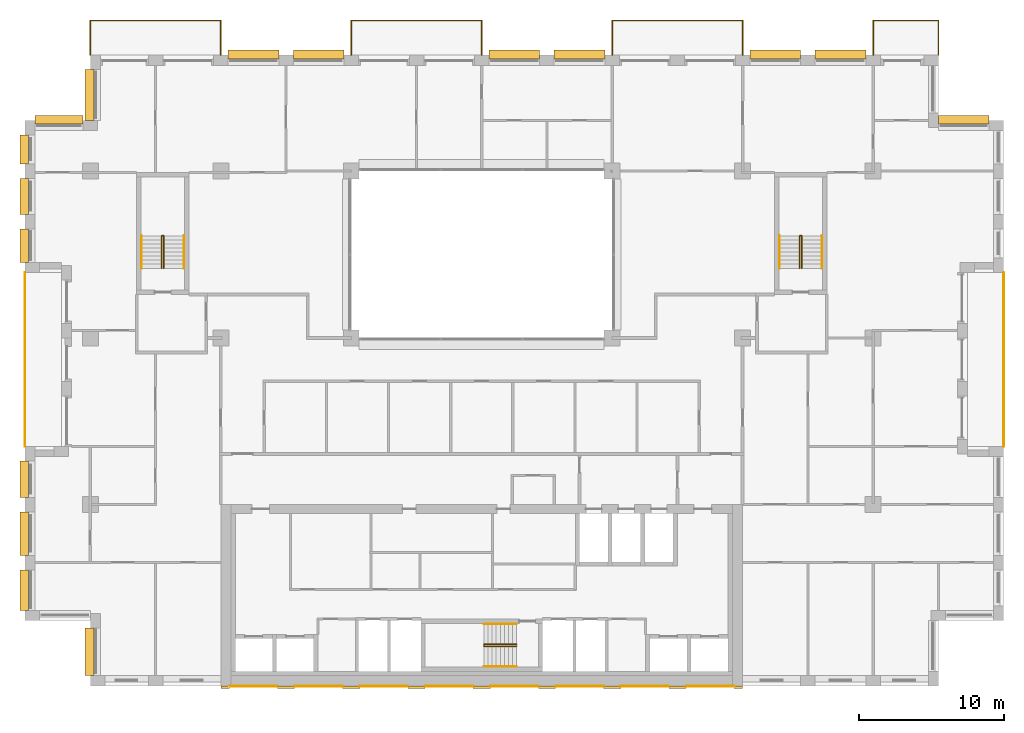
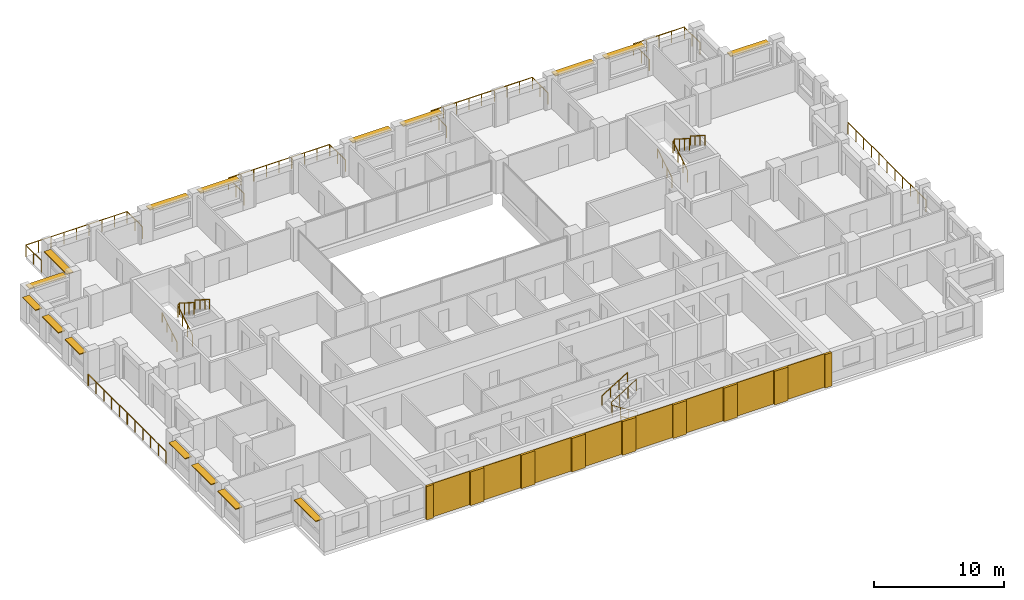
# One storey, part 15 of 15: 17 coverings, 16 shading devices, 15 railings.
"""IFC4 building model written with IfcOpenShell, lengths in metres."""

from ifc_helpers import new_model, si_unit, direction, frame, origin, origin_2d, place, context, subcontext, project, spatial, rectangle, circle, extrude, material, layer, layer_set, type_object, element, save


model = new_model("IFC4")

# Units and contexts
model_context = context("Model", 3, precision=1e-05, world=origin(), true_north=direction((0.0, 1.0)))
body_context = subcontext(model_context, "Body", "Model", "MODEL_VIEW")
ifc_project = project(units=[si_unit("LENGTHUNIT", "METRE"), si_unit("AREAUNIT", "SQUARE_METRE"), si_unit("VOLUMEUNIT", "CUBIC_METRE"), si_unit("PLANEANGLEUNIT", "RADIAN"), si_unit("MASSUNIT", "GRAM", prefix="KILO")], contexts=[model_context])

# Site, building, storey
site_placement = place(None, origin())
site = spatial("IfcSite", under=ifc_project, at=site_placement, CompositionType="ELEMENT")
building_placement = place(site_placement, origin())
building = spatial("IfcBuilding", under=site, at=building_placement, Name="Brigalow Station Residences", CompositionType="ELEMENT")
storey_placement = place(building_placement, frame((0.0, 0.0, 175.949951171875)))
storey = spatial("IfcBuildingStorey", under=building, at=storey_placement, Name="L51", CompositionType="ELEMENT", Elevation=175.949951171875)

# Railings
ifc_material_1 = material(Name="Stainless steel balustrade with laminated glass infill", Category="steel")
railing_type_1 = type_object("IfcRailingType", Name="BALCONY GUARD 1100", PredefinedType="GUARDRAIL", material=ifc_material_1)
railing_1_placement = place(storey_placement, frame((72.0, 16.5, -0.0400390625)))
element("IfcRailing", 1, at=railing_1_placement, inside=storey, type_object=railing_type_1, Name="L51/balcony-guard/1", PredefinedType="GUARDRAIL", context=body_context, shape_type="SweptSolid", body=[
    extrude(circle(Radius=0.02392578125, at=origin_2d()), frame((0.0, 0.0, 1.076171875), z_axis=(0.0, 1.0, 0.0), x_axis=(-1.0, 0.0, 0.0)), (0.0, 0.0, 1.0), 12.0),
    extrude(circle(Radius=0.02099609375, at=origin_2d()), origin(), (0.0, 0.0, 1.0), 1.052001953125),
    extrude(circle(Radius=0.02099609375, at=origin_2d()), frame((0.0, 1.199951171875, 0.0)), (0.0, 0.0, 1.0), 1.052001953125),
    extrude(circle(Radius=0.02099609375, at=origin_2d()), frame((0.0, 2.39990234375, 0.0)), (0.0, 0.0, 1.0), 1.052001953125),
    extrude(circle(Radius=0.02099609375, at=origin_2d()), frame((0.0, 3.60009765625, 0.0)), (0.0, 0.0, 1.0), 1.052001953125),
    extrude(circle(Radius=0.02099609375, at=origin_2d()), frame((0.0, 4.800048828125, 0.0)), (0.0, 0.0, 1.0), 1.052001953125),
    extrude(circle(Radius=0.02099609375, at=origin_2d()), frame((0.0, 6.0, 0.0)), (0.0, 0.0, 1.0), 1.052001953125),
    extrude(circle(Radius=0.02099609375, at=origin_2d()), frame((0.0, 7.199951171875, 0.0)), (0.0, 0.0, 1.0), 1.052001953125),
    extrude(circle(Radius=0.02099609375, at=origin_2d()), frame((0.0, 8.39990234375, 0.0)), (0.0, 0.0, 1.0), 1.052001953125),
    extrude(circle(Radius=0.02099609375, at=origin_2d()), frame((0.0, 9.60009765625, 0.0)), (0.0, 0.0, 1.0), 1.052001953125),
    extrude(circle(Radius=0.02099609375, at=origin_2d()), frame((0.0, 10.800048828125, 0.0)), (0.0, 0.0, 1.0), 1.052001953125),
    extrude(circle(Radius=0.02099609375, at=origin_2d()), frame((0.0, 12.0, 0.0)), (0.0, 0.0, 1.0), 1.052001953125),
])
railing_2_placement = place(storey_placement, frame((67.5, 43.5, -0.0400390625)))
element("IfcRailing", 2, at=railing_2_placement, inside=storey, type_object=railing_type_1, Name="L51/balcony-guard/2", PredefinedType="GUARDRAIL", context=body_context, shape_type="SweptSolid", body=[
    extrude(circle(Radius=0.02392578125, at=origin_2d()), frame((0.0, 0.0, 1.076171875), z_axis=(0.0, 1.0, 0.0), x_axis=(-1.0, 0.0, 0.0)), (0.0, 0.0, 1.0), 2.39990234375),
    extrude(circle(Radius=0.02392578125, at=origin_2d()), frame((0.0, 2.39990234375, 1.076171875), z_axis=(-1.0, 0.0, 0.0), x_axis=(0.0, -1.0, 0.0)), (0.0, 0.0, 1.0), 4.5),
    extrude(circle(Radius=0.02392578125, at=origin_2d()), frame((-4.5, 2.39990234375, 1.076171875), z_axis=(0.0, -1.0, 0.0), x_axis=(1.0, 0.0, 0.0)), (0.0, 0.0, 1.0), 2.39990234375),
    extrude(circle(Radius=0.02099609375, at=origin_2d()), origin(), (0.0, 0.0, 1.0), 1.052001953125),
    extrude(circle(Radius=0.02099609375, at=origin_2d()), frame((0.0, 1.199951171875, 0.0)), (0.0, 0.0, 1.0), 1.052001953125),
    extrude(circle(Radius=0.02099609375, at=origin_2d()), frame((0.0, 2.39990234375, 0.0)), (0.0, 0.0, 1.0), 1.052001953125),
    extrude(circle(Radius=0.02099609375, at=origin_2d()), frame((-1.125, 2.39990234375, 0.0)), (0.0, 0.0, 1.0), 1.052001953125),
    extrude(circle(Radius=0.02099609375, at=origin_2d()), frame((-2.25, 2.39990234375, 0.0)), (0.0, 0.0, 1.0), 1.052001953125),
    extrude(circle(Radius=0.02099609375, at=origin_2d()), frame((-3.375, 2.39990234375, 0.0)), (0.0, 0.0, 1.0), 1.052001953125),
    extrude(circle(Radius=0.02099609375, at=origin_2d()), frame((-4.5, 2.39990234375, 0.0)), (0.0, 0.0, 1.0), 1.052001953125),
    extrude(circle(Radius=0.02099609375, at=origin_2d()), frame((-4.5, 1.199951171875, 0.0)), (0.0, 0.0, 1.0), 1.052001953125),
    extrude(circle(Radius=0.02099609375, at=origin_2d()), frame((-4.5, 0.0, 0.0)), (0.0, 0.0, 1.0), 1.052001953125),
])
railing_3_placement = place(storey_placement, frame((54.0, 43.5, -0.0400390625)))
element("IfcRailing", 3, at=railing_3_placement, inside=storey, type_object=railing_type_1, Name="L51/balcony-guard/3", PredefinedType="GUARDRAIL", context=body_context, shape_type="SweptSolid", body=[
    extrude(circle(Radius=0.02392578125, at=origin_2d()), frame((0.0, 0.0, 1.076171875), z_axis=(0.0, 1.0, 0.0), x_axis=(-1.0, 0.0, 0.0)), (0.0, 0.0, 1.0), 2.39990234375),
    extrude(circle(Radius=0.02392578125, at=origin_2d()), frame((0.0, 2.39990234375, 1.076171875), z_axis=(-1.0, 0.0, 0.0), x_axis=(0.0, -1.0, 0.0)), (0.0, 0.0, 1.0), 9.0),
    extrude(circle(Radius=0.02392578125, at=origin_2d()), frame((-9.0, 2.39990234375, 1.076171875), z_axis=(0.0, -1.0, 0.0), x_axis=(1.0, 0.0, 0.0)), (0.0, 0.0, 1.0), 2.39990234375),
    extrude(circle(Radius=0.02099609375, at=origin_2d()), origin(), (0.0, 0.0, 1.0), 1.052001953125),
    extrude(circle(Radius=0.02099609375, at=origin_2d()), frame((0.0, 1.199951171875, 0.0)), (0.0, 0.0, 1.0), 1.052001953125),
    extrude(circle(Radius=0.02099609375, at=origin_2d()), frame((0.0, 2.39990234375, 0.0)), (0.0, 0.0, 1.0), 1.052001953125),
    extrude(circle(Radius=0.02099609375, at=origin_2d()), frame((-1.125, 2.39990234375, 0.0)), (0.0, 0.0, 1.0), 1.052001953125),
    extrude(circle(Radius=0.02099609375, at=origin_2d()), frame((-2.25, 2.39990234375, 0.0)), (0.0, 0.0, 1.0), 1.052001953125),
    extrude(circle(Radius=0.02099609375, at=origin_2d()), frame((-3.375, 2.39990234375, 0.0)), (0.0, 0.0, 1.0), 1.052001953125),
    extrude(circle(Radius=0.02099609375, at=origin_2d()), frame((-4.5, 2.39990234375, 0.0)), (0.0, 0.0, 1.0), 1.052001953125),
    extrude(circle(Radius=0.02099609375, at=origin_2d()), frame((-5.625, 2.39990234375, 0.0)), (0.0, 0.0, 1.0), 1.052001953125),
    extrude(circle(Radius=0.02099609375, at=origin_2d()), frame((-6.75, 2.39990234375, 0.0)), (0.0, 0.0, 1.0), 1.052001953125),
    extrude(circle(Radius=0.02099609375, at=origin_2d()), frame((-7.875, 2.39990234375, 0.0)), (0.0, 0.0, 1.0), 1.052001953125),
    extrude(circle(Radius=0.02099609375, at=origin_2d()), frame((-9.0, 2.39990234375, 0.0)), (0.0, 0.0, 1.0), 1.052001953125),
    extrude(circle(Radius=0.02099609375, at=origin_2d()), frame((-9.0, 1.199951171875, 0.0)), (0.0, 0.0, 1.0), 1.052001953125),
    extrude(circle(Radius=0.02099609375, at=origin_2d()), frame((-9.0, 0.0, 0.0)), (0.0, 0.0, 1.0), 1.052001953125),
])
railing_4_placement = place(storey_placement, frame((36.0, 43.5, -0.0400390625)))
element("IfcRailing", 4, at=railing_4_placement, inside=storey, type_object=railing_type_1, Name="L51/balcony-guard/4", PredefinedType="GUARDRAIL", context=body_context, shape_type="SweptSolid", body=[
    extrude(circle(Radius=0.02392578125, at=origin_2d()), frame((0.0, 0.0, 1.076171875), z_axis=(0.0, 1.0, 0.0), x_axis=(-1.0, 0.0, 0.0)), (0.0, 0.0, 1.0), 2.39990234375),
    extrude(circle(Radius=0.02392578125, at=origin_2d()), frame((0.0, 2.39990234375, 1.076171875), z_axis=(-1.0, 0.0, 0.0), x_axis=(0.0, -1.0, 0.0)), (0.0, 0.0, 1.0), 9.0),
    extrude(circle(Radius=0.02392578125, at=origin_2d()), frame((-9.0, 2.39990234375, 1.076171875), z_axis=(0.0, -1.0, 0.0), x_axis=(1.0, 0.0, 0.0)), (0.0, 0.0, 1.0), 2.39990234375),
    extrude(circle(Radius=0.02099609375, at=origin_2d()), origin(), (0.0, 0.0, 1.0), 1.052001953125),
    extrude(circle(Radius=0.02099609375, at=origin_2d()), frame((0.0, 1.199951171875, 0.0)), (0.0, 0.0, 1.0), 1.052001953125),
    extrude(circle(Radius=0.02099609375, at=origin_2d()), frame((0.0, 2.39990234375, 0.0)), (0.0, 0.0, 1.0), 1.052001953125),
    extrude(circle(Radius=0.02099609375, at=origin_2d()), frame((-1.125, 2.39990234375, 0.0)), (0.0, 0.0, 1.0), 1.052001953125),
    extrude(circle(Radius=0.02099609375, at=origin_2d()), frame((-2.25, 2.39990234375, 0.0)), (0.0, 0.0, 1.0), 1.052001953125),
    extrude(circle(Radius=0.02099609375, at=origin_2d()), frame((-3.375, 2.39990234375, 0.0)), (0.0, 0.0, 1.0), 1.052001953125),
    extrude(circle(Radius=0.02099609375, at=origin_2d()), frame((-4.5, 2.39990234375, 0.0)), (0.0, 0.0, 1.0), 1.052001953125),
    extrude(circle(Radius=0.02099609375, at=origin_2d()), frame((-5.625, 2.39990234375, 0.0)), (0.0, 0.0, 1.0), 1.052001953125),
    extrude(circle(Radius=0.02099609375, at=origin_2d()), frame((-6.75, 2.39990234375, 0.0)), (0.0, 0.0, 1.0), 1.052001953125),
    extrude(circle(Radius=0.02099609375, at=origin_2d()), frame((-7.875, 2.39990234375, 0.0)), (0.0, 0.0, 1.0), 1.052001953125),
    extrude(circle(Radius=0.02099609375, at=origin_2d()), frame((-9.0, 2.39990234375, 0.0)), (0.0, 0.0, 1.0), 1.052001953125),
    extrude(circle(Radius=0.02099609375, at=origin_2d()), frame((-9.0, 1.199951171875, 0.0)), (0.0, 0.0, 1.0), 1.052001953125),
    extrude(circle(Radius=0.02099609375, at=origin_2d()), frame((-9.0, 0.0, 0.0)), (0.0, 0.0, 1.0), 1.052001953125),
])
railing_5_placement = place(storey_placement, frame((18.0, 43.5, -0.0400390625)))
element("IfcRailing", 5, at=railing_5_placement, inside=storey, type_object=railing_type_1, Name="L51/balcony-guard/5", PredefinedType="GUARDRAIL", context=body_context, shape_type="SweptSolid", body=[
    extrude(circle(Radius=0.02392578125, at=origin_2d()), frame((0.0, 0.0, 1.076171875), z_axis=(0.0, 1.0, 0.0), x_axis=(-1.0, 0.0, 0.0)), (0.0, 0.0, 1.0), 2.39990234375),
    extrude(circle(Radius=0.02392578125, at=origin_2d()), frame((0.0, 2.39990234375, 1.076171875), z_axis=(-1.0, 0.0, 0.0), x_axis=(0.0, -1.0, 0.0)), (0.0, 0.0, 1.0), 9.0),
    extrude(circle(Radius=0.02392578125, at=origin_2d()), frame((-9.0, 2.39990234375, 1.076171875), z_axis=(0.0, -1.0, 0.0), x_axis=(1.0, 0.0, 0.0)), (0.0, 0.0, 1.0), 2.39990234375),
    extrude(circle(Radius=0.02099609375, at=origin_2d()), origin(), (0.0, 0.0, 1.0), 1.052001953125),
    extrude(circle(Radius=0.02099609375, at=origin_2d()), frame((0.0, 1.199951171875, 0.0)), (0.0, 0.0, 1.0), 1.052001953125),
    extrude(circle(Radius=0.02099609375, at=origin_2d()), frame((0.0, 2.39990234375, 0.0)), (0.0, 0.0, 1.0), 1.052001953125),
    extrude(circle(Radius=0.02099609375, at=origin_2d()), frame((-1.125, 2.39990234375, 0.0)), (0.0, 0.0, 1.0), 1.052001953125),
    extrude(circle(Radius=0.02099609375, at=origin_2d()), frame((-2.25, 2.39990234375, 0.0)), (0.0, 0.0, 1.0), 1.052001953125),
    extrude(circle(Radius=0.02099609375, at=origin_2d()), frame((-3.375, 2.39990234375, 0.0)), (0.0, 0.0, 1.0), 1.052001953125),
    extrude(circle(Radius=0.02099609375, at=origin_2d()), frame((-4.5, 2.39990234375, 0.0)), (0.0, 0.0, 1.0), 1.052001953125),
    extrude(circle(Radius=0.02099609375, at=origin_2d()), frame((-5.625, 2.39990234375, 0.0)), (0.0, 0.0, 1.0), 1.052001953125),
    extrude(circle(Radius=0.02099609375, at=origin_2d()), frame((-6.75, 2.39990234375, 0.0)), (0.0, 0.0, 1.0), 1.052001953125),
    extrude(circle(Radius=0.02099609375, at=origin_2d()), frame((-7.875, 2.39990234375, 0.0)), (0.0, 0.0, 1.0), 1.052001953125),
    extrude(circle(Radius=0.02099609375, at=origin_2d()), frame((-9.0, 2.39990234375, 0.0)), (0.0, 0.0, 1.0), 1.052001953125),
    extrude(circle(Radius=0.02099609375, at=origin_2d()), frame((-9.0, 1.199951171875, 0.0)), (0.0, 0.0, 1.0), 1.052001953125),
    extrude(circle(Radius=0.02099609375, at=origin_2d()), frame((-9.0, 0.0, 0.0)), (0.0, 0.0, 1.0), 1.052001953125),
])
railing_6_placement = place(storey_placement, frame((4.5, 28.5, -0.0400390625)))
element("IfcRailing", 6, at=railing_6_placement, inside=storey, type_object=railing_type_1, Name="L51/balcony-guard/6", PredefinedType="GUARDRAIL", context=body_context, shape_type="SweptSolid", body=[
    extrude(circle(Radius=0.02392578125, at=origin_2d()), frame((0.0, 0.0, 1.076171875), z_axis=(0.0, -1.0, 0.0), x_axis=(1.0, 0.0, 0.0)), (0.0, 0.0, 1.0), 12.0),
    extrude(circle(Radius=0.02099609375, at=origin_2d()), origin(), (0.0, 0.0, 1.0), 1.052001953125),
    extrude(circle(Radius=0.02099609375, at=origin_2d()), frame((0.0, -1.199951171875, 0.0)), (0.0, 0.0, 1.0), 1.052001953125),
    extrude(circle(Radius=0.02099609375, at=origin_2d()), frame((0.0, -2.39990234375, 0.0)), (0.0, 0.0, 1.0), 1.052001953125),
    extrude(circle(Radius=0.02099609375, at=origin_2d()), frame((0.0, -3.60009765625, 0.0)), (0.0, 0.0, 1.0), 1.052001953125),
    extrude(circle(Radius=0.02099609375, at=origin_2d()), frame((0.0, -4.800048828125, 0.0)), (0.0, 0.0, 1.0), 1.052001953125),
    extrude(circle(Radius=0.02099609375, at=origin_2d()), frame((0.0, -6.0, 0.0)), (0.0, 0.0, 1.0), 1.052001953125),
    extrude(circle(Radius=0.02099609375, at=origin_2d()), frame((0.0, -7.199951171875, 0.0)), (0.0, 0.0, 1.0), 1.052001953125),
    extrude(circle(Radius=0.02099609375, at=origin_2d()), frame((0.0, -8.39990234375, 0.0)), (0.0, 0.0, 1.0), 1.052001953125),
    extrude(circle(Radius=0.02099609375, at=origin_2d()), frame((0.0, -9.60009765625, 0.0)), (0.0, 0.0, 1.0), 1.052001953125),
    extrude(circle(Radius=0.02099609375, at=origin_2d()), frame((0.0, -10.800048828125, 0.0)), (0.0, 0.0, 1.0), 1.052001953125),
    extrude(circle(Radius=0.02099609375, at=origin_2d()), frame((0.0, -12.0, 0.0)), (0.0, 0.0, 1.0), 1.052001953125),
])

# Coverings
ifc_material_2 = material(Name="Clay brick masonry", Category="masonry")
ifc_layer_1 = layer(ifc_material_2, 0.06005859375)
ifc_layer_set_1 = layer_set([ifc_layer_1], Name="BRICK PANEL FACING 60")
covering_type_1 = type_object("IfcCoveringType", Name="BRICK PANEL FACING 60", PredefinedType="CLADDING", material=ifc_layer_set_1)
for number, where, z_axis, x_axis, name in (
    (7, (20.25, -0.030029296875, 0.0), (0.0, 0.0, 1.0), (1.0, 0.0, 0.0), "L51/rear-facing/panel-1"),
    (8, (24.75, -0.030029296875, 0.0), (0.0, 0.0, 1.0), (1.0, 0.0, 0.0), "L51/rear-facing/panel-2"),
    (9, (29.25, -0.030029296875, 0.0), (0.0, 0.0, 1.0), (1.0, 0.0, 0.0), "L51/rear-facing/panel-3"),
    (10, (33.75, -0.030029296875, 0.0), (0.0, 0.0, 1.0), (1.0, 0.0, 0.0), "L51/rear-facing/panel-4"),
    (11, (38.25, -0.030029296875, 0.0), (0.0, 0.0, 1.0), (1.0, 0.0, 0.0), "L51/rear-facing/panel-5"),
    (12, (42.75, -0.030029296875, 0.0), (0.0, 0.0, 1.0), (1.0, 0.0, 0.0), "L51/rear-facing/panel-6"),
    (13, (47.25, -0.030029296875, 0.0), (0.0, 0.0, 1.0), (1.0, 0.0, 0.0), "L51/rear-facing/panel-7"),
    (14, (51.75, -0.030029296875, 0.0), (0.0, 0.0, 1.0), (1.0, 0.0, 0.0), "L51/rear-facing/panel-8"),
):
    element("IfcCovering", number, at=place(storey_placement, frame(where, z_axis=z_axis, x_axis=x_axis)), inside=storey, type_object=covering_type_1, Name=name, PredefinedType="CLADDING", context=body_context, shape_type="SweptSolid", body=[
        extrude(rectangle(XDim=3.300048828125, YDim=0.06005859375, at=origin_2d()), origin(), (0.0, 0.0, 1.0), 3.14990234375),
    ])
ifc_material_3 = material(Name="Clay brick masonry", Category="masonry")
ifc_layer_2 = layer(ifc_material_3, 0.199951171875)
ifc_layer_set_2 = layer_set([ifc_layer_2], Name="BRICK PIER FACING 200")
covering_type_2 = type_object("IfcCoveringType", Name="BRICK PIER FACING 200", PredefinedType="CLADDING", material=ifc_layer_set_2)
covering_1_placement = place(storey_placement, frame((18.300048828125, -0.10009765625, 0.0), z_axis=(0.0, 0.0, 1.0), x_axis=(1.0, 0.0, 0.0)))
element("IfcCovering", 15, at=covering_1_placement, inside=storey, type_object=covering_type_2, Name="L51/rear-facing/pier-1", PredefinedType="CLADDING", context=body_context, shape_type="SweptSolid", body=[
    extrude(rectangle(XDim=0.60009765625, YDim=0.199951171875, at=origin_2d()), origin(), (0.0, 0.0, 1.0), 3.14990234375),
])
for number, where, z_axis, x_axis, name in (
    (16, (22.5, -0.10009765625, 0.0), (0.0, 0.0, 1.0), (1.0, 0.0, 0.0), "L51/rear-facing/pier-2"),
    (17, (27.0, -0.10009765625, 0.0), (0.0, 0.0, 1.0), (1.0, 0.0, 0.0), "L51/rear-facing/pier-3"),
    (18, (31.5, -0.10009765625, 0.0), (0.0, 0.0, 1.0), (1.0, 0.0, 0.0), "L51/rear-facing/pier-4"),
    (19, (36.0, -0.10009765625, 0.0), (0.0, 0.0, 1.0), (1.0, 0.0, 0.0), "L51/rear-facing/pier-5"),
    (20, (40.5, -0.10009765625, 0.0), (0.0, 0.0, 1.0), (1.0, 0.0, 0.0), "L51/rear-facing/pier-6"),
    (21, (45.0, -0.10009765625, 0.0), (0.0, 0.0, 1.0), (1.0, 0.0, 0.0), "L51/rear-facing/pier-7"),
    (22, (49.5, -0.10009765625, 0.0), (0.0, 0.0, 1.0), (1.0, 0.0, 0.0), "L51/rear-facing/pier-8"),
):
    element("IfcCovering", number, at=place(storey_placement, frame(where, z_axis=z_axis, x_axis=x_axis)), inside=storey, type_object=covering_type_2, Name=name, PredefinedType="CLADDING", context=body_context, shape_type="SweptSolid", body=[
        extrude(rectangle(XDim=1.199951171875, YDim=0.199951171875, at=origin_2d()), origin(), (0.0, 0.0, 1.0), 3.14990234375),
    ])
covering_2_placement = place(storey_placement, frame((53.699951171875, -0.10009765625, 0.0), z_axis=(0.0, 0.0, 1.0), x_axis=(1.0, 0.0, 0.0)))
element("IfcCovering", 23, at=covering_2_placement, inside=storey, type_object=covering_type_2, Name="L51/rear-facing/pier-9", PredefinedType="CLADDING", context=body_context, shape_type="SweptSolid", body=[
    extrude(rectangle(XDim=0.60009765625, YDim=0.199951171875, at=origin_2d()), origin(), (0.0, 0.0, 1.0), 3.14990234375),
])

# Railings
ifc_material_4 = material(Name="Stainless steel balustrade", Category="steel")
railing_type_2 = type_object("IfcRailingType", Name="STAIR GUARD 1100", PredefinedType="GUARDRAIL", material=ifc_material_4)
railing_7_placement = place(storey_placement, frame((38.39990234375, 2.72998046875, 0.175048828125)))
element("IfcRailing", 24, at=railing_7_placement, inside=storey, type_object=railing_type_2, Name="GUARD GR-2", PredefinedType="GUARDRAIL", context=body_context, shape_type="SweptSolid", body=[
    extrude(circle(Radius=0.02392578125, at=origin_2d()), frame((0.0, 0.0, 1.076171875), z_axis=(-0.848013881152, 0.0, 0.529974015752), x_axis=(0.0, -1.0, 0.0)), (0.0, 0.0, 1.0), 2.641357421875),
    extrude(circle(Radius=0.02392578125, at=origin_2d()), frame((-2.239990234375, 0.0, 2.47607421875), z_axis=(0.0, 0.624960567888, 0.780656319122), x_axis=(-1.0, 0.0, 0.0)), (0.0, 0.0, 1.0), 0.22412109375),
    extrude(circle(Radius=0.02392578125, at=origin_2d()), frame((-2.239990234375, 0.14013671875, 2.65087890625), z_axis=(0.847972341737, 0.0, 0.530040477369), x_axis=(0.0, 1.0, 0.0)), (0.0, 0.0, 1.0), 2.6416015625),
    extrude(circle(Radius=0.02099609375, at=origin_2d()), origin(), (0.0, 0.0, 1.0), 1.052001953125),
    extrude(circle(Radius=0.02099609375, at=origin_2d()), frame((-0.74658203125, 0.0, 0.466552734375)), (0.0, 0.0, 1.0), 1.052001953125),
    extrude(circle(Radius=0.02099609375, at=origin_2d()), frame((-1.493408203125, 0.0, 0.933349609375)), (0.0, 0.0, 1.0), 1.052001953125),
    extrude(circle(Radius=0.02099609375, at=origin_2d()), frame((-2.239990234375, 0.0, 1.39990234375)), (0.0, 0.0, 1.0), 1.052001953125),
    extrude(circle(Radius=0.02099609375, at=origin_2d()), frame((-2.239990234375, 0.14013671875, 1.574951171875)), (0.0, 0.0, 1.0), 1.052001953125),
    extrude(circle(Radius=0.02099609375, at=origin_2d()), frame((-1.493408203125, 0.14013671875, 2.041748046875)), (0.0, 0.0, 1.0), 1.052001953125),
    extrude(circle(Radius=0.02099609375, at=origin_2d()), frame((-0.74658203125, 0.14013671875, 2.50830078125)), (0.0, 0.0, 1.0), 1.052001953125),
    extrude(circle(Radius=0.02099609375, at=origin_2d()), frame((0.0, 0.14013671875, 2.97509765625)), (0.0, 0.0, 1.0), 1.052001953125),
])
for number, where, name in (
    (25, (13.929931640625, 28.800048828125, 0.175048828125), "GUARD GR-1"),
    (26, (57.929931640625, 28.800048828125, 0.175048828125), "GUARD GR-3"),
):
    element("IfcRailing", number, at=place(storey_placement, frame(where)), inside=storey, type_object=railing_type_2, Name=name, PredefinedType="GUARDRAIL", context=body_context, shape_type="SweptSolid", body=[
        extrude(circle(Radius=0.02392578125, at=origin_2d()), frame((0.0, 0.0, 1.076171875), z_axis=(0.0, 0.848013881152, 0.529974015752), x_axis=(-1.0, 0.0, 0.0)), (0.0, 0.0, 1.0), 2.641357421875),
        extrude(circle(Radius=0.02392578125, at=origin_2d()), frame((0.0, 2.239990234375, 2.47607421875), z_axis=(0.624960567888, 0.0, 0.780656319122), x_axis=(0.0, 1.0, 0.0)), (0.0, 0.0, 1.0), 0.22412109375),
        extrude(circle(Radius=0.02392578125, at=origin_2d()), frame((0.14013671875, 2.239990234375, 2.65087890625), z_axis=(0.0, -0.847972341737, 0.530040477369), x_axis=(1.0, 0.0, 0.0)), (0.0, 0.0, 1.0), 2.6416015625),
        extrude(circle(Radius=0.02099609375, at=origin_2d()), origin(), (0.0, 0.0, 1.0), 1.052001953125),
        extrude(circle(Radius=0.02099609375, at=origin_2d()), frame((0.0, 0.74658203125, 0.466552734375)), (0.0, 0.0, 1.0), 1.052001953125),
        extrude(circle(Radius=0.02099609375, at=origin_2d()), frame((0.0, 1.493408203125, 0.933349609375)), (0.0, 0.0, 1.0), 1.052001953125),
        extrude(circle(Radius=0.02099609375, at=origin_2d()), frame((0.0, 2.239990234375, 1.39990234375)), (0.0, 0.0, 1.0), 1.052001953125),
        extrude(circle(Radius=0.02099609375, at=origin_2d()), frame((0.14013671875, 2.239990234375, 1.574951171875)), (0.0, 0.0, 1.0), 1.052001953125),
        extrude(circle(Radius=0.02099609375, at=origin_2d()), frame((0.14013671875, 1.493408203125, 2.041748046875)), (0.0, 0.0, 1.0), 1.052001953125),
        extrude(circle(Radius=0.02099609375, at=origin_2d()), frame((0.14013671875, 0.74658203125, 2.50830078125)), (0.0, 0.0, 1.0), 1.052001953125),
        extrude(circle(Radius=0.02099609375, at=origin_2d()), frame((0.14013671875, 0.0, 2.97509765625)), (0.0, 0.0, 1.0), 1.052001953125),
    ])
ifc_material_5 = material(Name="Stainless steel handrail", Category="steel")
railing_type_3 = type_object("IfcRailingType", Name="STAIR HANDRAIL 900", PredefinedType="HANDRAIL", material=ifc_material_5)
railing_8_placement = place(storey_placement, frame((38.39990234375, 1.340087890625, 0.175048828125)))
element("IfcRailing", 27, at=railing_8_placement, inside=storey, type_object=railing_type_3, Name="HANDRAIL HR-21", PredefinedType="HANDRAIL", context=body_context, shape_type="SweptSolid", body=[
    extrude(circle(Radius=0.02392578125, at=origin_2d()), frame((0.0, 0.0, 0.8759765625), z_axis=(-0.848013881152, 0.0, 0.529974015752), x_axis=(0.0, -1.0, 0.0)), (0.0, 0.0, 1.0), 2.641357421875),
    extrude(circle(Radius=0.02099609375, at=origin_2d()), origin(), (0.0, 0.0, 1.0), 0.851806640625),
    extrude(circle(Radius=0.02099609375, at=origin_2d()), frame((-0.74658203125, 0.0, 0.466552734375)), (0.0, 0.0, 1.0), 0.851806640625),
    extrude(circle(Radius=0.02099609375, at=origin_2d()), frame((-1.493408203125, 0.0, 0.933349609375)), (0.0, 0.0, 1.0), 0.851806640625),
    extrude(circle(Radius=0.02099609375, at=origin_2d()), frame((-2.239990234375, 0.0, 1.39990234375)), (0.0, 0.0, 1.0), 0.851806640625),
])
railing_9_placement = place(storey_placement, frame((36.159912109375, 4.260009765625, 1.75)))
element("IfcRailing", 28, at=railing_9_placement, inside=storey, type_object=railing_type_3, Name="HANDRAIL HR-22", PredefinedType="HANDRAIL", context=body_context, shape_type="SweptSolid", body=[
    extrude(circle(Radius=0.02392578125, at=origin_2d()), frame((0.0, 0.0, 0.8759765625), z_axis=(0.847972341737, 0.0, 0.530040477369), x_axis=(0.0, 1.0, 0.0)), (0.0, 0.0, 1.0), 2.6416015625),
    extrude(circle(Radius=0.02099609375, at=origin_2d()), origin(), (0.0, 0.0, 1.0), 0.851806640625),
    extrude(circle(Radius=0.02099609375, at=origin_2d()), frame((0.74658203125, 0.0, 0.466796875)), (0.0, 0.0, 1.0), 0.851806640625),
    extrude(circle(Radius=0.02099609375, at=origin_2d()), frame((1.493408203125, 0.0, 0.933349609375)), (0.0, 0.0, 1.0), 0.851806640625),
    extrude(circle(Radius=0.02099609375, at=origin_2d()), frame((2.239990234375, 0.0, 1.400146484375)), (0.0, 0.0, 1.0), 0.851806640625),
])
railing_10_placement = place(storey_placement, frame((12.5400390625, 28.800048828125, 0.175048828125)))
element("IfcRailing", 29, at=railing_10_placement, inside=storey, type_object=railing_type_3, Name="HANDRAIL HR-11", PredefinedType="HANDRAIL", context=body_context, shape_type="SweptSolid", body=[
    extrude(circle(Radius=0.02392578125, at=origin_2d()), frame((0.0, 0.0, 0.8759765625), z_axis=(0.0, 0.848013881152, 0.529974015752), x_axis=(-1.0, 0.0, 0.0)), (0.0, 0.0, 1.0), 2.641357421875),
    extrude(circle(Radius=0.02099609375, at=origin_2d()), origin(), (0.0, 0.0, 1.0), 0.851806640625),
    extrude(circle(Radius=0.02099609375, at=origin_2d()), frame((0.0, 0.74658203125, 0.466552734375)), (0.0, 0.0, 1.0), 0.851806640625),
    extrude(circle(Radius=0.02099609375, at=origin_2d()), frame((0.0, 1.493408203125, 0.933349609375)), (0.0, 0.0, 1.0), 0.851806640625),
    extrude(circle(Radius=0.02099609375, at=origin_2d()), frame((0.0, 2.239990234375, 1.39990234375)), (0.0, 0.0, 1.0), 0.851806640625),
])
railing_11_placement = place(storey_placement, frame((15.4599609375, 31.0400390625, 1.75)))
element("IfcRailing", 30, at=railing_11_placement, inside=storey, type_object=railing_type_3, Name="HANDRAIL HR-12", PredefinedType="HANDRAIL", context=body_context, shape_type="SweptSolid", body=[
    extrude(circle(Radius=0.02392578125, at=origin_2d()), frame((0.0, 0.0, 0.8759765625), z_axis=(0.0, -0.847972341737, 0.530040477369), x_axis=(1.0, 0.0, 0.0)), (0.0, 0.0, 1.0), 2.6416015625),
    extrude(circle(Radius=0.02099609375, at=origin_2d()), origin(), (0.0, 0.0, 1.0), 0.851806640625),
    extrude(circle(Radius=0.02099609375, at=origin_2d()), frame((0.0, -0.74658203125, 0.466796875)), (0.0, 0.0, 1.0), 0.851806640625),
    extrude(circle(Radius=0.02099609375, at=origin_2d()), frame((0.0, -1.493408203125, 0.933349609375)), (0.0, 0.0, 1.0), 0.851806640625),
    extrude(circle(Radius=0.02099609375, at=origin_2d()), frame((0.0, -2.239990234375, 1.400146484375)), (0.0, 0.0, 1.0), 0.851806640625),
])
railing_12_placement = place(storey_placement, frame((56.5400390625, 28.800048828125, 0.175048828125)))
element("IfcRailing", 31, at=railing_12_placement, inside=storey, type_object=railing_type_3, Name="HANDRAIL HR-31", PredefinedType="HANDRAIL", context=body_context, shape_type="SweptSolid", body=[
    extrude(circle(Radius=0.02392578125, at=origin_2d()), frame((0.0, 0.0, 0.8759765625), z_axis=(0.0, 0.848013881152, 0.529974015752), x_axis=(-1.0, 0.0, 0.0)), (0.0, 0.0, 1.0), 2.641357421875),
    extrude(circle(Radius=0.02099609375, at=origin_2d()), origin(), (0.0, 0.0, 1.0), 0.851806640625),
    extrude(circle(Radius=0.02099609375, at=origin_2d()), frame((0.0, 0.74658203125, 0.466552734375)), (0.0, 0.0, 1.0), 0.851806640625),
    extrude(circle(Radius=0.02099609375, at=origin_2d()), frame((0.0, 1.493408203125, 0.933349609375)), (0.0, 0.0, 1.0), 0.851806640625),
    extrude(circle(Radius=0.02099609375, at=origin_2d()), frame((0.0, 2.239990234375, 1.39990234375)), (0.0, 0.0, 1.0), 0.851806640625),
])
railing_13_placement = place(storey_placement, frame((59.4599609375, 31.0400390625, 1.75)))
element("IfcRailing", 32, at=railing_13_placement, inside=storey, type_object=railing_type_3, Name="HANDRAIL HR-32", PredefinedType="HANDRAIL", context=body_context, shape_type="SweptSolid", body=[
    extrude(circle(Radius=0.02392578125, at=origin_2d()), frame((0.0, 0.0, 0.8759765625), z_axis=(0.0, -0.847972341737, 0.530040477369), x_axis=(1.0, 0.0, 0.0)), (0.0, 0.0, 1.0), 2.6416015625),
    extrude(circle(Radius=0.02099609375, at=origin_2d()), origin(), (0.0, 0.0, 1.0), 0.851806640625),
    extrude(circle(Radius=0.02099609375, at=origin_2d()), frame((0.0, -0.74658203125, 0.466796875)), (0.0, 0.0, 1.0), 0.851806640625),
    extrude(circle(Radius=0.02099609375, at=origin_2d()), frame((0.0, -1.493408203125, 0.933349609375)), (0.0, 0.0, 1.0), 0.851806640625),
    extrude(circle(Radius=0.02099609375, at=origin_2d()), frame((0.0, -2.239990234375, 1.400146484375)), (0.0, 0.0, 1.0), 0.851806640625),
])

# Shading devices
ifc_material_6 = material(Name="Powder-coated extruded aluminium blade", Category="aluminium")
ifc_layer_3 = layer(ifc_material_6, 0.080078125)
ifc_layer_set_3 = layer_set([ifc_layer_3], Name="SUNSHADE BLADE 600x80")
shading_device_type = type_object("IfcShadingDeviceType", Name="SUNSHADE BLADE 600x80", PredefinedType="JALOUSIE", material=ifc_layer_set_3)
for number, where, z_axis, x_axis, name in (
    (33, (69.25, 39.050048828125, 2.550048828125), (0.0, 0.0, 1.0), (-1.0, 0.0, 0.0), "L51/blade/W-L51-20"),
    (34, (60.75, 43.550048828125, 2.550048828125), (0.0, 0.0, 1.0), (-1.0, 0.0, 0.0), "L51/blade/W-L51-23"),
    (35, (56.25, 43.550048828125, 2.550048828125), (0.0, 0.0, 1.0), (-1.0, 0.0, 0.0), "L51/blade/W-L51-24"),
    (36, (42.75, 43.550048828125, 2.550048828125), (0.0, 0.0, 1.0), (-1.0, 0.0, 0.0), "L51/blade/W-L51-27"),
    (37, (38.25, 43.550048828125, 2.550048828125), (0.0, 0.0, 1.0), (-1.0, 0.0, 0.0), "L51/blade/W-L51-28"),
    (38, (24.75, 43.550048828125, 2.550048828125), (0.0, 0.0, 1.0), (-1.0, 0.0, 0.0), "L51/blade/W-L51-31"),
    (39, (20.25, 43.550048828125, 2.550048828125), (0.0, 0.0, 1.0), (-1.0, 0.0, 0.0), "L51/blade/W-L51-32"),
    (40, (8.949951171875, 40.75, 2.550048828125), (0.0, 0.0, 1.0), (0.0, -1.0, 0.0), "L51/blade/W-L51-35"),
):
    element("IfcShadingDevice", number, at=place(storey_placement, frame(where, z_axis=z_axis, x_axis=x_axis)), inside=storey, type_object=shading_device_type, Name=name, PredefinedType="JALOUSIE", context=body_context, shape_type="SweptSolid", body=[
        extrude(rectangle(XDim=3.5, YDim=0.60009765625, at=origin_2d()), origin(), (0.0, 0.0, 1.0), 0.080078125),
    ])
shading_device_1_placement = place(storey_placement, frame((6.85009765625, 39.050048828125, 2.550048828125), z_axis=(0.0, 0.0, 1.0), x_axis=(-1.0, 0.0, 0.0)))
element("IfcShadingDevice", 41, at=shading_device_1_placement, inside=storey, type_object=shading_device_type, Name="L51/blade/W-L51-36", PredefinedType="JALOUSIE", context=body_context, shape_type="SweptSolid", body=[
    extrude(rectangle(XDim=3.300048828125, YDim=0.60009765625, at=origin_2d()), origin(), (0.0, 0.0, 1.0), 0.080078125),
])
shading_device_2_placement = place(storey_placement, frame((4.449951171875, 37.0, 2.550048828125), z_axis=(0.0, 0.0, 1.0), x_axis=(0.0, -1.0, 0.0)))
element("IfcShadingDevice", 42, at=shading_device_2_placement, inside=storey, type_object=shading_device_type, Name="L51/blade/W-L51-37", PredefinedType="JALOUSIE", context=body_context, shape_type="SweptSolid", body=[
    extrude(rectangle(XDim=2.0, YDim=0.60009765625, at=origin_2d()), origin(), (0.0, 0.0, 1.0), 0.080078125),
])
shading_device_3_placement = place(storey_placement, frame((4.449951171875, 33.75, 2.550048828125), z_axis=(0.0, 0.0, 1.0), x_axis=(0.0, -1.0, 0.0)))
element("IfcShadingDevice", 43, at=shading_device_3_placement, inside=storey, type_object=shading_device_type, Name="L51/blade/W-L51-38", PredefinedType="JALOUSIE", context=body_context, shape_type="SweptSolid", body=[
    extrude(rectangle(XDim=2.5, YDim=0.60009765625, at=origin_2d()), origin(), (0.0, 0.0, 1.0), 0.080078125),
])
shading_device_4_placement = place(storey_placement, frame((4.449951171875, 30.35009765625, 2.550048828125), z_axis=(0.0, 0.0, 1.0), x_axis=(0.0, -1.0, 0.0)))
element("IfcShadingDevice", 44, at=shading_device_4_placement, inside=storey, type_object=shading_device_type, Name="L51/blade/W-L51-39", PredefinedType="JALOUSIE", context=body_context, shape_type="SweptSolid", body=[
    extrude(rectangle(XDim=2.300048828125, YDim=0.60009765625, at=origin_2d()), origin(), (0.0, 0.0, 1.0), 0.080078125),
])
shading_device_5_placement = place(storey_placement, frame((4.449951171875, 14.25, 2.550048828125), z_axis=(0.0, 0.0, 1.0), x_axis=(0.0, -1.0, 0.0)))
element("IfcShadingDevice", 45, at=shading_device_5_placement, inside=storey, type_object=shading_device_type, Name="L51/blade/W-L51-45", PredefinedType="JALOUSIE", context=body_context, shape_type="SweptSolid", body=[
    extrude(rectangle(XDim=2.5, YDim=0.60009765625, at=origin_2d()), origin(), (0.0, 0.0, 1.0), 0.080078125),
])
shading_device_6_placement = place(storey_placement, frame((4.449951171875, 10.5, 2.550048828125), z_axis=(0.0, 0.0, 1.0), x_axis=(0.0, -1.0, 0.0)))
element("IfcShadingDevice", 46, at=shading_device_6_placement, inside=storey, type_object=shading_device_type, Name="L51/blade/W-L51-46", PredefinedType="JALOUSIE", context=body_context, shape_type="SweptSolid", body=[
    extrude(rectangle(XDim=3.0, YDim=0.60009765625, at=origin_2d()), origin(), (0.0, 0.0, 1.0), 0.080078125),
])
shading_device_7_placement = place(storey_placement, frame((4.449951171875, 6.60009765625, 2.550048828125), z_axis=(0.0, 0.0, 1.0), x_axis=(0.0, -1.0, 0.0)))
element("IfcShadingDevice", 47, at=shading_device_7_placement, inside=storey, type_object=shading_device_type, Name="L51/blade/W-L51-47", PredefinedType="JALOUSIE", context=body_context, shape_type="SweptSolid", body=[
    extrude(rectangle(XDim=2.800048828125, YDim=0.60009765625, at=origin_2d()), origin(), (0.0, 0.0, 1.0), 0.080078125),
])
shading_device_8_placement = place(storey_placement, frame((8.949951171875, 2.35009765625, 2.550048828125), z_axis=(0.0, 0.0, 1.0), x_axis=(0.0, -1.0, 0.0)))
element("IfcShadingDevice", 48, at=shading_device_8_placement, inside=storey, type_object=shading_device_type, Name="L51/blade/W-L51-49", PredefinedType="JALOUSIE", context=body_context, shape_type="SweptSolid", body=[
    extrude(rectangle(XDim=3.300048828125, YDim=0.60009765625, at=origin_2d()), origin(), (0.0, 0.0, 1.0), 0.080078125),
])

save(model, "model.ifc")
